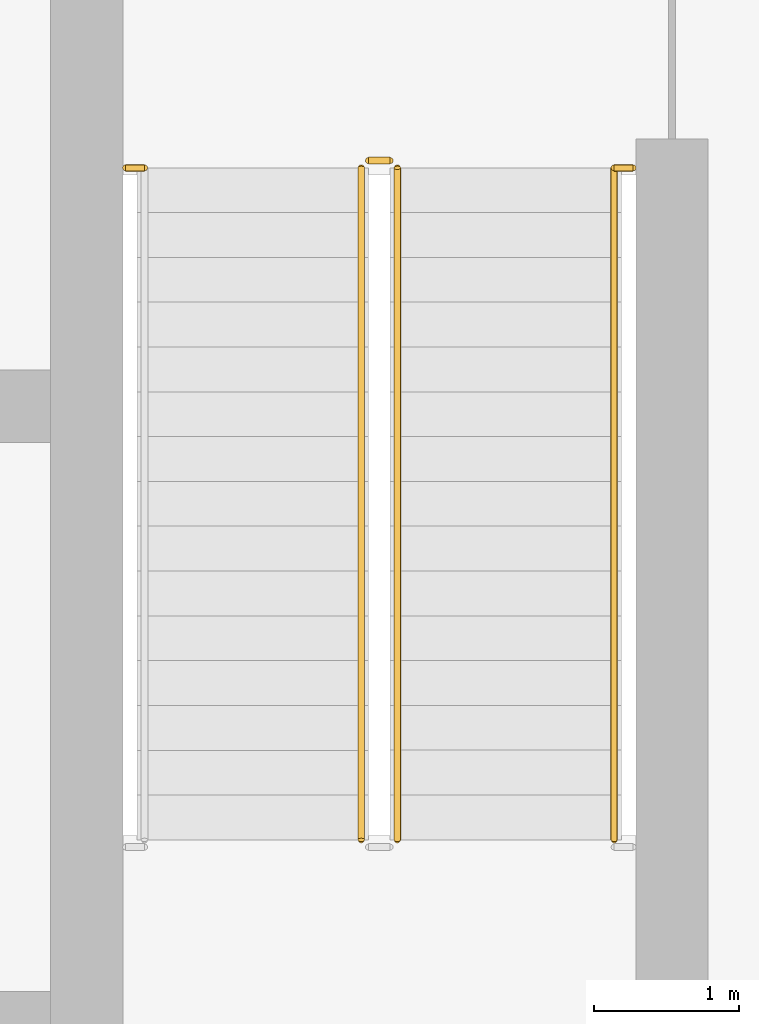
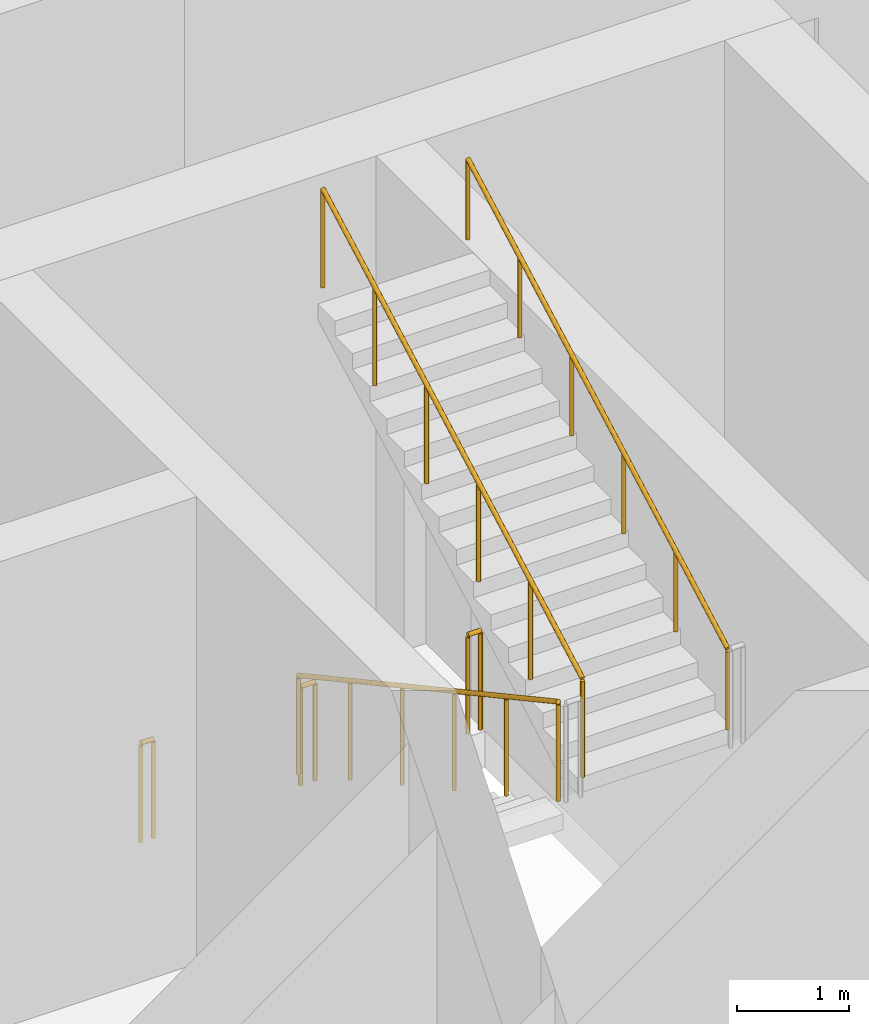
# One storey, part 30 of 30: 6 railings.
"""IFC4 building model written with IfcOpenShell, lengths in metres."""

from ifc_helpers import new_model, si_unit, direction, frame, origin, origin_2d, place, context, subcontext, project, spatial, circle, extrude, material, type_object, element, save


model = new_model("IFC4")

# Units and contexts
model_context = context("Model", 3, precision=1e-05, world=origin(), true_north=direction((0.0, 1.0)))
body_context = subcontext(model_context, "Body", "Model", "MODEL_VIEW")
ifc_project = project(units=[si_unit("LENGTHUNIT", "METRE"), si_unit("AREAUNIT", "SQUARE_METRE"), si_unit("VOLUMEUNIT", "CUBIC_METRE"), si_unit("PLANEANGLEUNIT", "RADIAN"), si_unit("MASSUNIT", "GRAM", prefix="KILO")], contexts=[model_context])

# Site, building, storey
site_placement = place(None, origin())
site = spatial("IfcSite", under=ifc_project, at=site_placement, CompositionType="ELEMENT")
building_placement = place(site_placement, origin())
building = spatial("IfcBuilding", under=site, at=building_placement, Name="Madar Terraces", CompositionType="ELEMENT")
storey_placement = place(building_placement, frame((0.0, 0.0, 173.5)))
storey = spatial("IfcBuildingStorey", under=building, at=storey_placement, Name="L45", CompositionType="ELEMENT", Elevation=173.5)

# Railings
ifc_material_1 = material(Name="Stainless steel railing", Category="steel")
railing_type_1 = type_object("IfcRailingType", Name="Stair guard 1100", PredefinedType="GUARDRAIL", material=ifc_material_1)
railing_1_placement = place(storey_placement, frame((41.199951171875, 35.199951171875, 0.168701171875)))
element("IfcRailing", 1, at=railing_1_placement, inside=storey, type_object=railing_type_1, Name="L45 ST2 stair guard 1", PredefinedType="GUARDRAIL", context=body_context, shape_type="SweptSolid", body=[
    extrude(circle(Radius=0.02392578125, at=origin_2d()), frame((0.0, 0.0, 1.076171875), z_axis=(0.0, -0.878297076953, 0.478115304728), x_axis=(1.0, 0.0, 0.0)), (0.0, 0.0, 1.0), 5.294189453125),
    extrude(circle(Radius=0.02099609375, at=origin_2d()), origin(), (0.0, 0.0, 1.0), 1.052001953125),
    extrude(circle(Radius=0.02099609375, at=origin_2d()), frame((0.0, -0.929931640625, 0.50634765625)), (0.0, 0.0, 1.0), 1.052001953125),
    extrude(circle(Radius=0.02099609375, at=origin_2d()), frame((0.0, -1.85986328125, 1.012451171875)), (0.0, 0.0, 1.0), 1.052001953125),
    extrude(circle(Radius=0.02099609375, at=origin_2d()), frame((0.0, -2.7900390625, 1.518798828125)), (0.0, 0.0, 1.0), 1.052001953125),
    extrude(circle(Radius=0.02099609375, at=origin_2d()), frame((0.0, -3.719970703125, 2.02490234375)), (0.0, 0.0, 1.0), 1.052001953125),
    extrude(circle(Radius=0.02099609375, at=origin_2d()), frame((0.0, -4.64990234375, 2.53125)), (0.0, 0.0, 1.0), 1.052001953125),
])
railing_2_placement = place(storey_placement, frame((41.449951171875, 30.550048828125, 2.86865234375)))
element("IfcRailing", 2, at=railing_2_placement, inside=storey, type_object=railing_type_1, Name="L45 ST2 stair guard 3", PredefinedType="GUARDRAIL", context=body_context, shape_type="SweptSolid", body=[
    extrude(circle(Radius=0.02392578125, at=origin_2d()), frame((0.0, 0.0, 1.076171875), z_axis=(0.0, 0.878297076953, 0.478115304728), x_axis=(-1.0, 0.0, 0.0)), (0.0, 0.0, 1.0), 5.294189453125),
    extrude(circle(Radius=0.02099609375, at=origin_2d()), origin(), (0.0, 0.0, 1.0), 1.052001953125),
    extrude(circle(Radius=0.02099609375, at=origin_2d()), frame((0.0, 0.929931640625, 0.50634765625)), (0.0, 0.0, 1.0), 1.052001953125),
    extrude(circle(Radius=0.02099609375, at=origin_2d()), frame((0.0, 1.85986328125, 1.012451171875)), (0.0, 0.0, 1.0), 1.052001953125),
    extrude(circle(Radius=0.02099609375, at=origin_2d()), frame((0.0, 2.7900390625, 1.518798828125)), (0.0, 0.0, 1.0), 1.052001953125),
    extrude(circle(Radius=0.02099609375, at=origin_2d()), frame((0.0, 3.719970703125, 2.02490234375)), (0.0, 0.0, 1.0), 1.052001953125),
    extrude(circle(Radius=0.02099609375, at=origin_2d()), frame((0.0, 4.64990234375, 2.53125)), (0.0, 0.0, 1.0), 1.052001953125),
])
railing_3_placement = place(storey_placement, frame((41.25, 35.25, 0.0)))
element("IfcRailing", 3, at=railing_3_placement, inside=storey, type_object=railing_type_1, Name="L45 ST2 stair guard 4", PredefinedType="GUARDRAIL", context=body_context, shape_type="SweptSolid", body=[
    extrude(circle(Radius=0.02392578125, at=origin_2d()), frame((0.0, 0.0, 1.076171875), z_axis=(1.0, 0.0, 0.0), x_axis=(0.0, 1.0, 0.0)), (0.0, 0.0, 1.0), 0.14990234375),
    extrude(circle(Radius=0.02099609375, at=origin_2d()), origin(), (0.0, 0.0, 1.0), 1.052001953125),
    extrude(circle(Radius=0.02099609375, at=origin_2d()), frame((0.14990234375, 0.0, 0.0)), (0.0, 0.0, 1.0), 1.052001953125),
])
railing_4_placement = place(storey_placement, frame((39.570068359375, 35.199951171875, 0.0)))
element("IfcRailing", 4, at=railing_4_placement, inside=storey, type_object=railing_type_1, Name="L45 stair guard floor 1", PredefinedType="GUARDRAIL", context=body_context, shape_type="SweptSolid", body=[
    extrude(circle(Radius=0.02392578125, at=origin_2d()), frame((0.0, 0.0, 1.076171875), z_axis=(1.0, 0.0, 0.0), x_axis=(0.0, 1.0, 0.0)), (0.0, 0.0, 1.0), 0.1298828125),
    extrude(circle(Radius=0.02099609375, at=origin_2d()), origin(), (0.0, 0.0, 1.0), 1.052001953125),
    extrude(circle(Radius=0.02099609375, at=origin_2d()), frame((0.1298828125, 0.0, 0.0)), (0.0, 0.0, 1.0), 1.052001953125),
])
railing_5_placement = place(storey_placement, frame((42.949951171875, 35.199951171875, 0.0)))
element("IfcRailing", 5, at=railing_5_placement, inside=storey, type_object=railing_type_1, Name="L45 stair guard floor 2", PredefinedType="GUARDRAIL", context=body_context, shape_type="SweptSolid", body=[
    extrude(circle(Radius=0.02392578125, at=origin_2d()), frame((0.0, 0.0, 1.076171875), z_axis=(1.0, 0.0, 0.0), x_axis=(0.0, 1.0, 0.0)), (0.0, 0.0, 1.0), 0.130126953125),
    extrude(circle(Radius=0.02099609375, at=origin_2d()), origin(), (0.0, 0.0, 1.0), 1.052001953125),
    extrude(circle(Radius=0.02099609375, at=origin_2d()), frame((0.130126953125, 0.0, 0.0)), (0.0, 0.0, 1.0), 1.052001953125),
])
ifc_material_2 = material(Name="Stainless steel railing", Category="steel")
railing_type_2 = type_object("IfcRailingType", Name="Stair handrail 900", PredefinedType="HANDRAIL", material=ifc_material_2)
railing_6_placement = place(storey_placement, frame((42.949951171875, 30.550048828125, 2.86865234375)))
element("IfcRailing", 6, at=railing_6_placement, inside=storey, type_object=railing_type_2, Name="L45 ST2 stair handrail 2", PredefinedType="HANDRAIL", context=body_context, shape_type="SweptSolid", body=[
    extrude(circle(Radius=0.02392578125, at=origin_2d()), frame((0.0, 0.0, 0.8759765625), z_axis=(0.0, 0.878297076953, 0.478115304728), x_axis=(-1.0, 0.0, 0.0)), (0.0, 0.0, 1.0), 5.294189453125),
    extrude(circle(Radius=0.02099609375, at=origin_2d()), origin(), (0.0, 0.0, 1.0), 0.851806640625),
    extrude(circle(Radius=0.02099609375, at=origin_2d()), frame((0.0, 0.929931640625, 0.50634765625)), (0.0, 0.0, 1.0), 0.851806640625),
    extrude(circle(Radius=0.02099609375, at=origin_2d()), frame((0.0, 1.85986328125, 1.012451171875)), (0.0, 0.0, 1.0), 0.851806640625),
    extrude(circle(Radius=0.02099609375, at=origin_2d()), frame((0.0, 2.7900390625, 1.518798828125)), (0.0, 0.0, 1.0), 0.851806640625),
    extrude(circle(Radius=0.02099609375, at=origin_2d()), frame((0.0, 3.719970703125, 2.02490234375)), (0.0, 0.0, 1.0), 0.851806640625),
    extrude(circle(Radius=0.02099609375, at=origin_2d()), frame((0.0, 4.64990234375, 2.53125)), (0.0, 0.0, 1.0), 0.851806640625),
])

save(model, "model.ifc")
